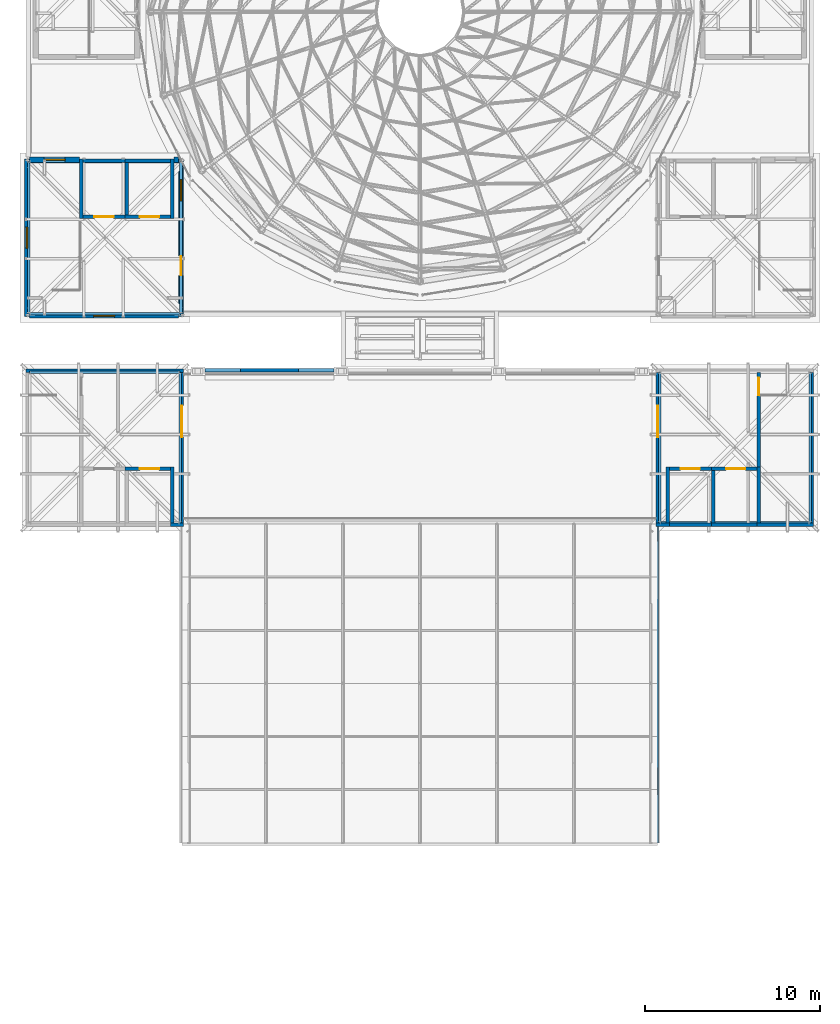
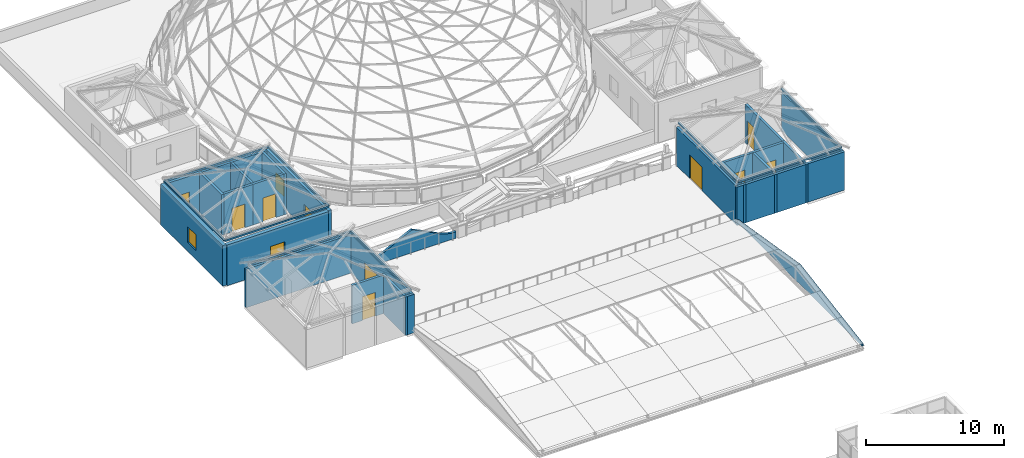
# One storey, part 48 of 69: 40 walls, 9 doors, 4 windows, 13 openings.
"""IFC4 building model written with IfcOpenShell, lengths in metres."""

from ifc_helpers import new_model, si_unit, direction, frame, frame_2d, origin, place, context, subcontext, project, spatial, polyline, rectangle, outline, extrude, material, layer, layer_set, type_object, element, fill, save


model = new_model("IFC4")

# Units and contexts
model_context = context("Model", 3, precision=1e-05, world=origin(), true_north=direction((0.0, 1.0)))
body_context = subcontext(model_context, "Body", "Model", "MODEL_VIEW")
ifc_project = project(units=[si_unit("LENGTHUNIT", "METRE"), si_unit("AREAUNIT", "SQUARE_METRE"), si_unit("VOLUMEUNIT", "CUBIC_METRE"), si_unit("PLANEANGLEUNIT", "RADIAN"), si_unit("MASSUNIT", "GRAM", prefix="KILO")], contexts=[model_context])

# Site, building, storey
site_placement = place(None, origin())
site = spatial("IfcSite", under=ifc_project, at=site_placement, CompositionType="ELEMENT")
building_placement = place(site_placement, origin())
building = spatial("IfcBuilding", under=site, at=building_placement, Name="Kallimachos Central Library", CompositionType="ELEMENT")
storey_placement = place(building_placement, frame((0.0, 0.0, 23.39990234375)))
storey = spatial("IfcBuildingStorey", under=building, at=storey_placement, Name="L05", CompositionType="ELEMENT", Elevation=23.39990234375)

# Walls
ifc_material_1 = material(Name="Concrete C30/37", Category="concrete")
ifc_layer_1 = layer(ifc_material_1, 0.14990234375)
ifc_layer_set_1 = layer_set([ifc_layer_1], Name="Concrete C30/37 eaves kerb 150")
wall_type_1 = type_object("IfcWallType", Name="Concrete C30/37 eaves kerb 150", PredefinedType="SOLIDWALL", material=ifc_layer_set_1)
for number, where, z_axis, x_axis, name in (
    (1, (65.699951171875, 83.800048828125, 3.650146484375), (0.0, 0.0, 1.0), (1.0, 0.0, 0.0), "Head-house roof V4-NW eaves kerb N"),
    (2, (74.300048828125, 75.199951171875, 3.650146484375), (0.0, 0.0, 1.0), (0.0, 1.0, 0.0), "Head-house roof V4-NW eaves kerb E"),
    (3, (101.699951171875, 75.199951171875, 3.650146484375), (0.0, 0.0, 1.0), (1.0, 0.0, 0.0), "Head-house roof V4-NE eaves kerb S"),
    (4, (101.699951171875, 75.199951171875, 3.650146484375), (0.0, 0.0, 1.0), (0.0, 1.0, 0.0), "Head-house roof V4-NE eaves kerb W"),
    (5, (110.300048828125, 75.199951171875, 3.650146484375), (0.0, 0.0, 1.0), (0.0, 1.0, 0.0), "Head-house roof V4-NE eaves kerb E"),
):
    element("IfcWall", number, at=place(storey_placement, frame(where, z_axis=z_axis, x_axis=x_axis)), inside=storey, type_object=wall_type_1, Name=name, PredefinedType="SOLIDWALL", context=body_context, shape_type="SweptSolid", body=[
        extrude(rectangle(XDim=8.60009765625, YDim=0.14990234375, at=frame_2d((4.300048828125, 0.0))), origin(), (0.0, 0.0, 1.0), 0.14990234375),
    ])
for number, where, z_axis, x_axis, name in (
    (6, (65.64990234375, 87.14990234375, 3.800048828125), (0.0, 0.0, 1.0), (1.0, 0.0, 0.0), "Head-house roof V1-SW eaves kerb S"),
    (7, (65.64990234375, 95.85009765625, 3.800048828125), (0.0, 0.0, 1.0), (1.0, 0.0, 0.0), "Head-house roof V1-SW eaves kerb N"),
    (8, (65.64990234375, 87.14990234375, 3.800048828125), (0.0, 0.0, 1.0), (0.0, 1.0, 0.0), "Head-house roof V1-SW eaves kerb W"),
    (9, (74.35009765625, 87.14990234375, 3.800048828125), (0.0, 0.0, 1.0), (0.0, 1.0, 0.0), "Head-house roof V1-SW eaves kerb E"),
):
    element("IfcWall", number, at=place(storey_placement, frame(where, z_axis=z_axis, x_axis=x_axis)), inside=storey, type_object=wall_type_1, Name=name, PredefinedType="SOLIDWALL", context=body_context, shape_type="SweptSolid", body=[
        extrude(rectangle(XDim=8.7001953125, YDim=0.14990234375, at=frame_2d((4.35009765625, 0.0))), origin(), (0.0, 0.0, 1.0), 0.150146484375),
    ])
ifc_material_2 = material(Name="Laminated glass in aluminium frame", Category="aluminium")
ifc_layer_2 = layer(ifc_material_2, 0.10009765625)
ifc_layer_set_2 = layer_set([ifc_layer_2], Name="Glazed gable wall 100")
wall_type_2 = type_object("IfcWallType", Name="Glazed gable wall 100", PredefinedType="SOLIDWALL", material=ifc_layer_set_2)
wall_1_placement = place(storey_placement, frame((101.580078125, 56.919921875, 0.2900390625), z_axis=(0.0, 0.0, 1.0), x_axis=(0.0, 1.0, 0.0)))
element("IfcWall", 10, at=wall_1_placement, inside=storey, type_object=wall_type_2, Name="V4-WAL-L05-034", PredefinedType="SOLIDWALL", context=body_context, shape_type="SweptSolid", body=[
    extrude(outline(polyline([(0.0, 0.0), (18.22998046875, 0.0), (18.22998046875, 0.20263671875), (9.114990234375, 1.70263671875), (0.0, 0.20263671875), (0.0, 0.0)])), frame((0.0, 0.050048828125, 0.0), z_axis=(0.0, -1.0, 0.0), x_axis=(1.0, 0.0, 0.0)), (0.0, 0.0, 1.0), 0.10009765625),
])

# Wall, opening, window
ifc_material_3 = material(Name="Concrete C30/37 faced with glazed ceramic tile", Category="concrete")
ifc_layer_3 = layer(ifc_material_3, 0.300048828125)
ifc_layer_set_3 = layer_set([ifc_layer_3], Name="Head-house wall 300")
wall_type_3 = type_object("IfcWallType", Name="Head-house wall 300", PredefinedType="SOLIDWALL", material=ifc_layer_set_3)
wall_2_placement = place(storey_placement, frame((65.550048828125, 87.0, 0.0), z_axis=(0.0, 0.0, 1.0), x_axis=(0.0, 1.0, 0.0)))
wall_2 = element("IfcWall", 11, at=wall_2_placement, inside=storey, type_object=wall_type_3, Name="Head-house wall V1-SW", PredefinedType="SOLIDWALL", context=body_context, shape_type="SweptSolid", body=[
    extrude(rectangle(XDim=9.0, YDim=0.300048828125, at=frame_2d((4.5, 0.0))), origin(), (0.0, 0.0, 1.0), 3.60009765625),
])
opening_1_placement = place(wall_2_placement, frame((3.89990234375, 0.0, 0.800048828125)))
opening_1 = element("IfcOpeningElement", 12, at=opening_1_placement, cuts=wall_2, Name="Opening W61", PredefinedType="OPENING", context=body_context, shape_type="SweptSolid", body=[
    extrude(rectangle(XDim=1.199951171875, YDim=1.39990234375, at=frame_2d((0.60009765625, 0.699951171875))), frame((0.0, 0.159912109375, 0.0), z_axis=(0.0, -1.0, 0.0), x_axis=(1.0, 0.0, 0.0)), (0.0, 0.0, 1.0), 0.320068359375),
])
ifc_material_4 = material(Name="Anodised aluminium louvre", Category="aluminium")
window_type = type_object("IfcWindowType", Name="Plant louvre 1200x1400", PartitioningType="SINGLE_PANEL", PredefinedType="WINDOW", material=ifc_material_4)
window_1_placement = place(opening_1_placement, origin())
window_1 = element("IfcWindow", 13, at=window_1_placement, inside=storey, type_object=window_type, Name="V1-WIN-L05-001", OverallHeight=1.39990234375, OverallWidth=1.199951171875, PartitioningType="SINGLE_PANEL", PredefinedType="WINDOW", context=body_context, shape_type="SweptSolid", body=[
    extrude(rectangle(XDim=1.199951171875, YDim=1.39990234375, at=frame_2d((0.60009765625, 0.699951171875))), frame((0.0, 0.030029296875, 0.0), z_axis=(0.0, -1.0, 0.0), x_axis=(1.0, 0.0, 0.0)), (0.0, 0.0, 1.0), 0.06005859375),
])
fill(opening_1, window_1)

# Wall, openings, door, window
wall_3_placement = place(storey_placement, frame((74.35009765625, 87.0, 0.0), z_axis=(0.0, 0.0, 1.0), x_axis=(0.0, 1.0, 0.0)))
wall_3 = element("IfcWall", 14, at=wall_3_placement, inside=storey, type_object=wall_type_3, Name="Head-house wall V1-SW", PredefinedType="SOLIDWALL", context=body_context, shape_type="SweptSolid", body=[
    extrude(rectangle(XDim=9.0, YDim=0.300048828125, at=frame_2d((4.5, 0.0))), origin(), (0.0, 0.0, 1.0), 3.60009765625),
])
opening_2_placement = place(wall_3_placement, frame((6.60009765625, 0.0, 0.800048828125)))
opening_2 = element("IfcOpeningElement", 15, at=opening_2_placement, cuts=wall_3, Name="Opening W62", PredefinedType="OPENING", context=body_context, shape_type="SweptSolid", body=[
    extrude(rectangle(XDim=1.199951171875, YDim=1.39990234375, at=frame_2d((0.60009765625, 0.699951171875))), frame((0.0, 0.159912109375, 0.0), z_axis=(0.0, -1.0, 0.0), x_axis=(1.0, 0.0, 0.0)), (0.0, 0.0, 1.0), 0.320068359375),
])
opening_3_placement = place(wall_3_placement, frame((2.35009765625, 0.0, 0.0)))
opening_3 = element("IfcOpeningElement", 16, at=opening_3_placement, cuts=wall_3, Name="Opening D60", PredefinedType="OPENING", context=body_context, shape_type="SweptSolid", body=[
    extrude(rectangle(XDim=1.10009765625, YDim=2.10009765625, at=frame_2d((0.550048828125, 1.050048828125))), frame((0.0, 0.159912109375, 0.0), z_axis=(0.0, -1.0, 0.0), x_axis=(1.0, 0.0, 0.0)), (0.0, 0.0, 1.0), 0.320068359375),
])
ifc_material_5 = material(Name="Steel fire door", Category="steel")
door_type_1 = type_object("IfcDoorType", Name="Fire door EI2 90 1100 x 2100", OperationType="NOTDEFINED", PredefinedType="DOOR", material=ifc_material_5)
door_1_placement = place(opening_3_placement, origin())
door_1 = element("IfcDoor", 17, at=door_1_placement, inside=storey, type_object=door_type_1, Name="V1-DOR-L05-005", OperationType="SINGLE_SWING_RIGHT", OverallHeight=2.10009765625, OverallWidth=1.10009765625, PredefinedType="DOOR", context=body_context, shape_type="SweptSolid", body=[
    extrude(rectangle(XDim=1.10009765625, YDim=2.10009765625, at=frame_2d((0.550048828125, 1.050048828125))), frame((0.0, 0.02490234375, 0.0), z_axis=(0.0, -1.0, 0.0), x_axis=(1.0, 0.0, 0.0)), (0.0, 0.0, 1.0), 0.050048828125),
])
fill(opening_3, door_1)
window_2_placement = place(opening_2_placement, origin())
window_2 = element("IfcWindow", 18, at=window_2_placement, inside=storey, type_object=window_type, Name="V1-WIN-L05-002", OverallHeight=1.39990234375, OverallWidth=1.199951171875, PartitioningType="SINGLE_PANEL", PredefinedType="WINDOW", context=body_context, shape_type="SweptSolid", body=[
    extrude(rectangle(XDim=1.199951171875, YDim=1.39990234375, at=frame_2d((0.60009765625, 0.699951171875))), frame((0.0, 0.030029296875, 0.0), z_axis=(0.0, -1.0, 0.0), x_axis=(1.0, 0.0, 0.0)), (0.0, 0.0, 1.0), 0.06005859375),
])
fill(opening_2, window_2)

# Wall, opening, window
wall_4_placement = place(storey_placement, frame((65.699951171875, 87.050048828125, 0.0), z_axis=(0.0, 0.0, 1.0), x_axis=(1.0, 0.0, 0.0)))
wall_4 = element("IfcWall", 19, at=wall_4_placement, inside=storey, type_object=wall_type_3, Name="Head-house wall V1-SW", PredefinedType="SOLIDWALL", context=body_context, shape_type="SweptSolid", body=[
    extrude(rectangle(XDim=8.5, YDim=0.300048828125, at=frame_2d((4.25, 0.0))), origin(), (0.0, 0.0, 1.0), 3.60009765625),
])
opening_4_placement = place(wall_4_placement, frame((3.64990234375, 0.0, 0.800048828125)))
opening_4 = element("IfcOpeningElement", 20, at=opening_4_placement, cuts=wall_4, Name="Opening W63", PredefinedType="OPENING", context=body_context, shape_type="SweptSolid", body=[
    extrude(rectangle(XDim=1.199951171875, YDim=1.39990234375, at=frame_2d((0.60009765625, 0.699951171875))), frame((0.0, 0.159912109375, 0.0), z_axis=(0.0, -1.0, 0.0), x_axis=(1.0, 0.0, 0.0)), (0.0, 0.0, 1.0), 0.320068359375),
])
window_3_placement = place(opening_4_placement, origin())
window_3 = element("IfcWindow", 21, at=window_3_placement, inside=storey, type_object=window_type, Name="V1-WIN-L05-003", OverallHeight=1.39990234375, OverallWidth=1.199951171875, PartitioningType="SINGLE_PANEL", PredefinedType="WINDOW", context=body_context, shape_type="SweptSolid", body=[
    extrude(rectangle(XDim=1.199951171875, YDim=1.39990234375, at=frame_2d((0.60009765625, 0.699951171875))), frame((0.0, 0.030029296875, 0.0), z_axis=(0.0, -1.0, 0.0), x_axis=(1.0, 0.0, 0.0)), (0.0, 0.0, 1.0), 0.06005859375),
])
fill(opening_4, window_3)

wall_5_placement = place(storey_placement, frame((65.699951171875, 95.949951171875, 0.0), z_axis=(0.0, 0.0, 1.0), x_axis=(1.0, 0.0, 0.0)))
wall_5 = element("IfcWall", 22, at=wall_5_placement, inside=storey, type_object=wall_type_3, Name="Head-house wall V1-SW", PredefinedType="SOLIDWALL", context=body_context, shape_type="SweptSolid", body=[
    extrude(rectangle(XDim=2.85009765625, YDim=0.300048828125, at=frame_2d((1.425048828125, 0.0))), origin(), (0.0, 0.0, 1.0), 3.60009765625),
])
opening_5_placement = place(wall_5_placement, frame((0.824951171875, 0.0, 0.800048828125)))
opening_5 = element("IfcOpeningElement", 23, at=opening_5_placement, cuts=wall_5, Name="Opening W64", PredefinedType="OPENING", context=body_context, shape_type="SweptSolid", body=[
    extrude(rectangle(XDim=1.199951171875, YDim=1.39990234375, at=frame_2d((0.60009765625, 0.699951171875))), frame((0.0, 0.159912109375, 0.0), z_axis=(0.0, -1.0, 0.0), x_axis=(1.0, 0.0, 0.0)), (0.0, 0.0, 1.0), 0.320068359375),
])
window_4_placement = place(opening_5_placement, origin())
window_4 = element("IfcWindow", 24, at=window_4_placement, inside=storey, type_object=window_type, Name="V1-WIN-L05-004", OverallHeight=1.39990234375, OverallWidth=1.199951171875, PartitioningType="SINGLE_PANEL", PredefinedType="WINDOW", context=body_context, shape_type="SweptSolid", body=[
    extrude(rectangle(XDim=1.199951171875, YDim=1.39990234375, at=frame_2d((0.60009765625, 0.699951171875))), frame((0.0, 0.030029296875, 0.0), z_axis=(0.0, -1.0, 0.0), x_axis=(1.0, 0.0, 0.0)), (0.0, 0.0, 1.0), 0.06005859375),
])
fill(opening_5, window_4)

# Wall
wall_6_placement = place(storey_placement, frame((73.949951171875, 95.949951171875, 0.0), z_axis=(0.0, 0.0, 1.0), x_axis=(1.0, 0.0, 0.0)))
element("IfcWall", 25, at=wall_6_placement, inside=storey, type_object=wall_type_3, Name="Head-house wall V1-SW", PredefinedType="SOLIDWALL", context=body_context, shape_type="SweptSolid", body=[
    extrude(rectangle(XDim=0.25, YDim=0.300048828125, at=frame_2d((0.125, 0.0))), origin(), (0.0, 0.0, 1.0), 3.60009765625),
])

# Wall, opening, door
ifc_material_6 = material(Name="Concrete C30/37", Category="concrete")
ifc_layer_4 = layer(ifc_material_6, 0.199951171875)
ifc_layer_set_4 = layer_set([ifc_layer_4], Name="Lift shaft wall 200")
wall_type_4 = type_object("IfcWallType", Name="Lift shaft wall 200", PredefinedType="SOLIDWALL", material=ifc_layer_set_4)
wall_7_placement = place(storey_placement, frame((71.14990234375, 78.300048828125, 0.0), z_axis=(0.0, 0.0, 1.0), x_axis=(1.0, 0.0, 0.0)))
wall_7 = element("IfcWall", 26, at=wall_7_placement, inside=storey, type_object=wall_type_4, Name="V4-WAL-L05-005", PredefinedType="SOLIDWALL", context=body_context, shape_type="SweptSolid", body=[
    extrude(rectangle(XDim=2.60009765625, YDim=0.199951171875, at=frame_2d((1.300048828125, 0.0))), origin(), (0.0, 0.0, 1.0), 3.400146484375),
])
opening_6_placement = place(wall_7_placement, frame((0.85009765625, 0.0, 0.0)))
opening_6 = element("IfcOpeningElement", 27, at=opening_6_placement, cuts=wall_7, Name="Opening LD1100", PredefinedType="OPENING", context=body_context, shape_type="SweptSolid", body=[
    extrude(rectangle(XDim=1.10009765625, YDim=2.10009765625, at=frame_2d((0.550048828125, 1.050048828125))), frame((0.0, 0.10986328125, 0.0), z_axis=(0.0, -1.0, 0.0), x_axis=(1.0, 0.0, 0.0)), (0.0, 0.0, 1.0), 0.219970703125),
])
ifc_material_7 = material(Name="Stainless steel", Category="steel")
door_type_2 = type_object("IfcDoorType", Name="Lift landing door 1100 x 2100", OperationType="SLIDING_TO_LEFT", PredefinedType="DOOR", material=ifc_material_7)
door_2_placement = place(opening_6_placement, origin())
door_2 = element("IfcDoor", 28, at=door_2_placement, inside=storey, type_object=door_type_2, Name="LF8 landing door L05", OperationType="SLIDING_TO_LEFT", OverallHeight=2.10009765625, OverallWidth=1.10009765625, PredefinedType="DOOR", context=body_context, shape_type="SweptSolid", body=[
    extrude(rectangle(XDim=1.10009765625, YDim=2.10009765625, at=frame_2d((0.550048828125, 1.050048828125))), frame((0.0, 0.02490234375, 0.0), z_axis=(0.0, -1.0, 0.0), x_axis=(1.0, 0.0, 0.0)), (0.0, 0.0, 1.0), 0.050048828125),
])
fill(opening_6, door_2)

# Wall
wall_8_placement = place(storey_placement, frame((73.85009765625, 75.0, 0.0), z_axis=(0.0, 0.0, 1.0), x_axis=(0.0, 1.0, 0.0)))
element("IfcWall", 29, at=wall_8_placement, inside=storey, type_object=wall_type_4, Name="V4-WAL-L05-007", PredefinedType="SOLIDWALL", context=body_context, shape_type="SweptSolid", body=[
    extrude(rectangle(XDim=3.39990234375, YDim=0.199951171875, at=frame_2d((1.699951171875, 0.0))), origin(), (0.0, 0.0, 1.0), 3.400146484375),
])

# Wall, opening, door
wall_9_placement = place(storey_placement, frame((104.64990234375, 78.300048828125, 0.0), z_axis=(0.0, 0.0, 1.0), x_axis=(1.0, 0.0, 0.0)))
wall_9 = element("IfcWall", 30, at=wall_9_placement, inside=storey, type_object=wall_type_4, Name="V4-WAL-L05-008", PredefinedType="SOLIDWALL", context=body_context, shape_type="SweptSolid", body=[
    extrude(rectangle(XDim=2.60009765625, YDim=0.199951171875, at=frame_2d((1.300048828125, 0.0))), origin(), (0.0, 0.0, 1.0), 3.400146484375),
])
opening_7_placement = place(wall_9_placement, frame((0.85009765625, 0.0, 0.0)))
opening_7 = element("IfcOpeningElement", 31, at=opening_7_placement, cuts=wall_9, Name="Opening LD1100", PredefinedType="OPENING", context=body_context, shape_type="SweptSolid", body=[
    extrude(rectangle(XDim=1.10009765625, YDim=2.10009765625, at=frame_2d((0.550048828125, 1.050048828125))), frame((0.0, 0.10986328125, 0.0), z_axis=(0.0, -1.0, 0.0), x_axis=(1.0, 0.0, 0.0)), (0.0, 0.0, 1.0), 0.219970703125),
])
door_3_placement = place(opening_7_placement, origin())
door_3 = element("IfcDoor", 32, at=door_3_placement, inside=storey, type_object=door_type_2, Name="LF9 landing door L05", OperationType="SLIDING_TO_LEFT", OverallHeight=2.10009765625, OverallWidth=1.10009765625, PredefinedType="DOOR", context=body_context, shape_type="SweptSolid", body=[
    extrude(rectangle(XDim=1.10009765625, YDim=2.10009765625, at=frame_2d((0.550048828125, 1.050048828125))), frame((0.0, 0.02490234375, 0.0), z_axis=(0.0, -1.0, 0.0), x_axis=(1.0, 0.0, 0.0)), (0.0, 0.0, 1.0), 0.050048828125),
])
fill(opening_7, door_3)

# Walls
wall_10_placement = place(storey_placement, frame((104.64990234375, 75.10009765625, 0.0), z_axis=(0.0, 0.0, 1.0), x_axis=(1.0, 0.0, 0.0)))
element("IfcWall", 33, at=wall_10_placement, inside=storey, type_object=wall_type_4, Name="V4-WAL-L05-009", PredefinedType="SOLIDWALL", context=body_context, shape_type="SweptSolid", body=[
    extrude(rectangle(XDim=2.60009765625, YDim=0.199951171875, at=frame_2d((1.300048828125, 0.0))), origin(), (0.0, 0.0, 1.0), 3.400146484375),
])
for number, where, z_axis, x_axis, name in (
    (34, (104.75, 75.0, 0.0), (0.0, 0.0, 1.0), (0.0, 1.0, 0.0), "V4-WAL-L05-010"),
    (35, (107.35009765625, 75.0, 0.0), (0.0, 0.0, 1.0), (0.0, 1.0, 0.0), "V4-WAL-L05-011"),
):
    element("IfcWall", number, at=place(storey_placement, frame(where, z_axis=z_axis, x_axis=x_axis)), inside=storey, type_object=wall_type_4, Name=name, PredefinedType="SOLIDWALL", context=body_context, shape_type="SweptSolid", body=[
        extrude(rectangle(XDim=3.39990234375, YDim=0.199951171875, at=frame_2d((1.699951171875, 0.0))), origin(), (0.0, 0.0, 1.0), 3.400146484375),
    ])

# Wall, opening, door
wall_11_placement = place(storey_placement, frame((102.25, 78.300048828125, 0.0), z_axis=(0.0, 0.0, 1.0), x_axis=(1.0, 0.0, 0.0)))
wall_11 = element("IfcWall", 36, at=wall_11_placement, inside=storey, type_object=wall_type_4, Name="V4-WAL-L05-012", PredefinedType="SOLIDWALL", context=body_context, shape_type="SweptSolid", body=[
    extrude(rectangle(XDim=2.39990234375, YDim=0.199951171875, at=frame_2d((1.199951171875, 0.0))), origin(), (0.0, 0.0, 1.0), 3.400146484375),
])
opening_8_placement = place(wall_11_placement, frame((0.64990234375, 0.0, 0.0)))
opening_8 = element("IfcOpeningElement", 37, at=opening_8_placement, cuts=wall_11, Name="Opening LD1100", PredefinedType="OPENING", context=body_context, shape_type="SweptSolid", body=[
    extrude(rectangle(XDim=1.10009765625, YDim=2.10009765625, at=frame_2d((0.550048828125, 1.050048828125))), frame((0.0, 0.10986328125, 0.0), z_axis=(0.0, -1.0, 0.0), x_axis=(1.0, 0.0, 0.0)), (0.0, 0.0, 1.0), 0.219970703125),
])
door_4_placement = place(opening_8_placement, origin())
door_4 = element("IfcDoor", 38, at=door_4_placement, inside=storey, type_object=door_type_2, Name="LF10 landing door L05", OperationType="SLIDING_TO_LEFT", OverallHeight=2.10009765625, OverallWidth=1.10009765625, PredefinedType="DOOR", context=body_context, shape_type="SweptSolid", body=[
    extrude(rectangle(XDim=1.10009765625, YDim=2.10009765625, at=frame_2d((0.550048828125, 1.050048828125))), frame((0.0, 0.02490234375, 0.0), z_axis=(0.0, -1.0, 0.0), x_axis=(1.0, 0.0, 0.0)), (0.0, 0.0, 1.0), 0.050048828125),
])
fill(opening_8, door_4)

# Walls
wall_12_placement = place(storey_placement, frame((102.25, 75.10009765625, 0.0), z_axis=(0.0, 0.0, 1.0), x_axis=(1.0, 0.0, 0.0)))
element("IfcWall", 39, at=wall_12_placement, inside=storey, type_object=wall_type_4, Name="V4-WAL-L05-013", PredefinedType="SOLIDWALL", context=body_context, shape_type="SweptSolid", body=[
    extrude(rectangle(XDim=2.39990234375, YDim=0.199951171875, at=frame_2d((1.199951171875, 0.0))), origin(), (0.0, 0.0, 1.0), 3.400146484375),
])
wall_13_placement = place(storey_placement, frame((102.14990234375, 75.0, 0.0), z_axis=(0.0, 0.0, 1.0), x_axis=(0.0, 1.0, 0.0)))
element("IfcWall", 40, at=wall_13_placement, inside=storey, type_object=wall_type_4, Name="V4-WAL-L05-014", PredefinedType="SOLIDWALL", context=body_context, shape_type="SweptSolid", body=[
    extrude(rectangle(XDim=3.39990234375, YDim=0.199951171875, at=frame_2d((1.699951171875, 0.0))), origin(), (0.0, 0.0, 1.0), 3.400146484375),
])
wall_14_placement = place(storey_placement, frame((68.75, 95.89990234375, 0.0), z_axis=(0.0, 0.0, 1.0), x_axis=(1.0, 0.0, 0.0)))
element("IfcWall", 41, at=wall_14_placement, inside=storey, type_object=wall_type_4, Name="V1-WAL-L05-001", PredefinedType="SOLIDWALL", context=body_context, shape_type="SweptSolid", body=[
    extrude(rectangle(XDim=2.39990234375, YDim=0.199951171875, at=frame_2d((1.199951171875, 0.0))), origin(), (0.0, 0.0, 1.0), 3.60009765625),
])

# Wall, opening, door
wall_15_placement = place(storey_placement, frame((68.75, 92.699951171875, 0.0), z_axis=(0.0, 0.0, 1.0), x_axis=(1.0, 0.0, 0.0)))
wall_15 = element("IfcWall", 42, at=wall_15_placement, inside=storey, type_object=wall_type_4, Name="V1-WAL-L05-002", PredefinedType="SOLIDWALL", context=body_context, shape_type="SweptSolid", body=[
    extrude(rectangle(XDim=2.39990234375, YDim=0.199951171875, at=frame_2d((1.199951171875, 0.0))), origin(), (0.0, 0.0, 1.0), 3.60009765625),
])
opening_9_placement = place(wall_15_placement, frame((0.64990234375, 0.0, 0.0)))
opening_9 = element("IfcOpeningElement", 43, at=opening_9_placement, cuts=wall_15, Name="Opening LD1100", PredefinedType="OPENING", context=body_context, shape_type="SweptSolid", body=[
    extrude(rectangle(XDim=1.10009765625, YDim=2.10009765625, at=frame_2d((0.550048828125, 1.050048828125))), frame((0.0, 0.10986328125, 0.0), z_axis=(0.0, -1.0, 0.0), x_axis=(1.0, 0.0, 0.0)), (0.0, 0.0, 1.0), 0.219970703125),
])
door_5_placement = place(opening_9_placement, origin())
door_5 = element("IfcDoor", 44, at=door_5_placement, inside=storey, type_object=door_type_2, Name="LF1 landing door L05", OperationType="SLIDING_TO_LEFT", OverallHeight=2.10009765625, OverallWidth=1.10009765625, PredefinedType="DOOR", context=body_context, shape_type="SweptSolid", body=[
    extrude(rectangle(XDim=1.10009765625, YDim=2.10009765625, at=frame_2d((0.550048828125, 1.050048828125))), frame((0.0, 0.02490234375, 0.0), z_axis=(0.0, -1.0, 0.0), x_axis=(1.0, 0.0, 0.0)), (0.0, 0.0, 1.0), 0.050048828125),
])
fill(opening_9, door_5)

# Walls
for number, where, z_axis, x_axis, name in (
    (45, (68.64990234375, 92.60009765625, 0.0), (0.0, 0.0, 1.0), (0.0, 1.0, 0.0), "V1-WAL-L05-003"),
    (46, (71.25, 92.60009765625, 0.0), (0.0, 0.0, 1.0), (0.0, 1.0, 0.0), "V1-WAL-L05-004"),
):
    element("IfcWall", number, at=place(storey_placement, frame(where, z_axis=z_axis, x_axis=x_axis)), inside=storey, type_object=wall_type_4, Name=name, PredefinedType="SOLIDWALL", context=body_context, shape_type="SweptSolid", body=[
        extrude(rectangle(XDim=3.39990234375, YDim=0.199951171875, at=frame_2d((1.699951171875, 0.0))), origin(), (0.0, 0.0, 1.0), 3.60009765625),
    ])
wall_16_placement = place(storey_placement, frame((71.14990234375, 95.89990234375, 0.0), z_axis=(0.0, 0.0, 1.0), x_axis=(1.0, 0.0, 0.0)))
element("IfcWall", 47, at=wall_16_placement, inside=storey, type_object=wall_type_4, Name="V1-WAL-L05-005", PredefinedType="SOLIDWALL", context=body_context, shape_type="SweptSolid", body=[
    extrude(rectangle(XDim=2.60009765625, YDim=0.199951171875, at=frame_2d((1.300048828125, 0.0))), origin(), (0.0, 0.0, 1.0), 3.60009765625),
])

# Wall, opening, door
wall_17_placement = place(storey_placement, frame((71.14990234375, 92.699951171875, 0.0), z_axis=(0.0, 0.0, 1.0), x_axis=(1.0, 0.0, 0.0)))
wall_17 = element("IfcWall", 48, at=wall_17_placement, inside=storey, type_object=wall_type_4, Name="V1-WAL-L05-006", PredefinedType="SOLIDWALL", context=body_context, shape_type="SweptSolid", body=[
    extrude(rectangle(XDim=2.60009765625, YDim=0.199951171875, at=frame_2d((1.300048828125, 0.0))), origin(), (0.0, 0.0, 1.0), 3.60009765625),
])
opening_10_placement = place(wall_17_placement, frame((0.85009765625, 0.0, 0.0)))
opening_10 = element("IfcOpeningElement", 49, at=opening_10_placement, cuts=wall_17, Name="Opening LD1100", PredefinedType="OPENING", context=body_context, shape_type="SweptSolid", body=[
    extrude(rectangle(XDim=1.10009765625, YDim=2.10009765625, at=frame_2d((0.550048828125, 1.050048828125))), frame((0.0, 0.10986328125, 0.0), z_axis=(0.0, -1.0, 0.0), x_axis=(1.0, 0.0, 0.0)), (0.0, 0.0, 1.0), 0.219970703125),
])
door_6_placement = place(opening_10_placement, origin())
door_6 = element("IfcDoor", 50, at=door_6_placement, inside=storey, type_object=door_type_2, Name="LF2 landing door L05", OperationType="SLIDING_TO_LEFT", OverallHeight=2.10009765625, OverallWidth=1.10009765625, PredefinedType="DOOR", context=body_context, shape_type="SweptSolid", body=[
    extrude(rectangle(XDim=1.10009765625, YDim=2.10009765625, at=frame_2d((0.550048828125, 1.050048828125))), frame((0.0, 0.02490234375, 0.0), z_axis=(0.0, -1.0, 0.0), x_axis=(1.0, 0.0, 0.0)), (0.0, 0.0, 1.0), 0.050048828125),
])
fill(opening_10, door_6)

# Walls
wall_18_placement = place(storey_placement, frame((73.85009765625, 92.60009765625, 0.0), z_axis=(0.0, 0.0, 1.0), x_axis=(0.0, 1.0, 0.0)))
element("IfcWall", 51, at=wall_18_placement, inside=storey, type_object=wall_type_4, Name="V1-WAL-L05-007", PredefinedType="SOLIDWALL", context=body_context, shape_type="SweptSolid", body=[
    extrude(rectangle(XDim=3.39990234375, YDim=0.199951171875, at=frame_2d((1.699951171875, 0.0))), origin(), (0.0, 0.0, 1.0), 3.60009765625),
])
ifc_material_8 = material(Name="Concrete C35/45", Category="concrete")
ifc_layer_5 = layer(ifc_material_8, 0.199951171875)
ifc_layer_set_5 = layer_set([ifc_layer_5], Name="Shear core wall 200")
wall_type_5 = type_object("IfcWallType", Name="Shear core wall 200", PredefinedType="SHEAR", material=ifc_layer_set_5)
wall_19_placement = place(storey_placement, frame((65.5, 83.89990234375, 0.0), z_axis=(0.0, 0.0, 1.0), x_axis=(1.0, 0.0, 0.0)))
element("IfcWall", 52, at=wall_19_placement, inside=storey, type_object=wall_type_5, Name="Head-house wall V4-NW N", PredefinedType="SHEAR", context=body_context, shape_type="SweptSolid", body=[
    extrude(rectangle(XDim=9.0, YDim=0.199951171875, at=frame_2d((4.5, 0.0))), origin(), (0.0, 0.0, 1.0), 3.400146484375),
])

# Wall, opening, door
wall_20_placement = place(storey_placement, frame((74.39990234375, 75.199951171875, 0.0), z_axis=(0.0, 0.0, 1.0), x_axis=(0.0, 1.0, 0.0)))
wall_20 = element("IfcWall", 53, at=wall_20_placement, inside=storey, type_object=wall_type_5, Name="Head-house wall V4-NW E", PredefinedType="SHEAR", context=body_context, shape_type="SweptSolid", body=[
    extrude(rectangle(XDim=8.60009765625, YDim=0.199951171875, at=frame_2d((4.300048828125, 0.0))), origin(), (0.0, 0.0, 1.0), 3.400146484375),
])
opening_11_placement = place(wall_20_placement, frame((4.89990234375, 0.0, 0.0)))
opening_11 = element("IfcOpeningElement", 54, at=opening_11_placement, cuts=wall_20, Name="Opening D45", PredefinedType="OPENING", context=body_context, shape_type="SweptSolid", body=[
    extrude(rectangle(XDim=1.800048828125, YDim=2.10009765625, at=frame_2d((0.89990234375, 1.050048828125))), frame((0.0, 0.10986328125, 0.0), z_axis=(0.0, -1.0, 0.0), x_axis=(1.0, 0.0, 0.0)), (0.0, 0.0, 1.0), 0.219970703125),
])
ifc_material_9 = material(Name="Timber and glass", Category="wood")
door_type_3 = type_object("IfcDoorType", Name="Double leaf door 1800 x 2100, EI2 90", OperationType="DOUBLE_DOOR_SINGLE_SWING", PredefinedType="DOOR", material=ifc_material_9)
door_7_placement = place(opening_11_placement, origin())
door_7 = element("IfcDoor", 55, at=door_7_placement, inside=storey, type_object=door_type_3, Name="Roof Garden Door", OperationType="DOUBLE_DOOR_SINGLE_SWING", OverallHeight=2.10009765625, OverallWidth=1.800048828125, PredefinedType="DOOR", context=body_context, shape_type="SweptSolid", body=[
    extrude(rectangle(XDim=1.800048828125, YDim=2.10009765625, at=frame_2d((0.89990234375, 1.050048828125))), frame((0.0, 0.02490234375, 0.0), z_axis=(0.0, -1.0, 0.0), x_axis=(1.0, 0.0, 0.0)), (0.0, 0.0, 1.0), 0.050048828125),
])
fill(opening_11, door_7)

# Wall
wall_21_placement = place(storey_placement, frame((101.5, 75.10009765625, 0.0), z_axis=(0.0, 0.0, 1.0), x_axis=(1.0, 0.0, 0.0)))
element("IfcWall", 56, at=wall_21_placement, inside=storey, type_object=wall_type_5, Name="Head-house wall V4-NE S", PredefinedType="SHEAR", context=body_context, shape_type="SweptSolid", body=[
    extrude(rectangle(XDim=0.75, YDim=0.199951171875, at=frame_2d((0.375, 0.0))), origin(), (0.0, 0.0, 1.0), 3.400146484375),
])

# Wall, opening, door
wall_22_placement = place(storey_placement, frame((101.60009765625, 75.199951171875, 0.0), z_axis=(0.0, 0.0, 1.0), x_axis=(0.0, 1.0, 0.0)))
wall_22 = element("IfcWall", 57, at=wall_22_placement, inside=storey, type_object=wall_type_5, Name="Head-house wall V4-NE W", PredefinedType="SHEAR", context=body_context, shape_type="SweptSolid", body=[
    extrude(rectangle(XDim=8.60009765625, YDim=0.199951171875, at=frame_2d((4.300048828125, 0.0))), origin(), (0.0, 0.0, 1.0), 3.400146484375),
])
opening_12_placement = place(wall_22_placement, frame((4.89990234375, 0.0, 0.0)))
opening_12 = element("IfcOpeningElement", 58, at=opening_12_placement, cuts=wall_22, Name="Opening D46", PredefinedType="OPENING", context=body_context, shape_type="SweptSolid", body=[
    extrude(rectangle(XDim=1.800048828125, YDim=2.10009765625, at=frame_2d((0.89990234375, 1.050048828125))), frame((0.0, 0.10986328125, 0.0), z_axis=(0.0, -1.0, 0.0), x_axis=(1.0, 0.0, 0.0)), (0.0, 0.0, 1.0), 0.219970703125),
])
door_8_placement = place(opening_12_placement, frame((1.800048828125, 0.0, 0.0), z_axis=(0.0, 0.0, 1.0), x_axis=(-1.0, 0.0, 0.0)))
door_8 = element("IfcDoor", 59, at=door_8_placement, inside=storey, type_object=door_type_3, Name="Roof Garden Door", OperationType="DOUBLE_DOOR_SINGLE_SWING", OverallHeight=2.10009765625, OverallWidth=1.800048828125, PredefinedType="DOOR", context=body_context, shape_type="SweptSolid", body=[
    extrude(rectangle(XDim=1.800048828125, YDim=2.10009765625, at=frame_2d((0.89990234375, 1.050048828125))), frame((0.0, 0.02490234375, 0.0), z_axis=(0.0, -1.0, 0.0), x_axis=(1.0, 0.0, 0.0)), (0.0, 0.0, 1.0), 0.050048828125),
])
fill(opening_12, door_8)

# Walls
wall_23_placement = place(storey_placement, frame((110.39990234375, 75.199951171875, 0.0), z_axis=(0.0, 0.0, 1.0), x_axis=(0.0, 1.0, 0.0)))
element("IfcWall", 60, at=wall_23_placement, inside=storey, type_object=wall_type_5, Name="Head-house wall V4-NE E", PredefinedType="SHEAR", context=body_context, shape_type="SweptSolid", body=[
    extrude(rectangle(XDim=8.60009765625, YDim=0.199951171875, at=frame_2d((4.300048828125, 0.0))), origin(), (0.0, 0.0, 1.0), 3.400146484375),
])
wall_24_placement = place(storey_placement, frame((73.75, 75.10009765625, 0.0), z_axis=(0.0, 0.0, 1.0), x_axis=(1.0, 0.0, 0.0)))
element("IfcWall", 61, at=wall_24_placement, inside=storey, type_object=wall_type_5, Name="Head-house wall V4-NW S", PredefinedType="SHEAR", context=body_context, shape_type="SweptSolid", body=[
    extrude(rectangle(XDim=0.75, YDim=0.199951171875, at=frame_2d((0.375, 0.0))), origin(), (0.0, 0.0, 1.0), 3.400146484375),
])
wall_25_placement = place(storey_placement, frame((107.25, 75.10009765625, 0.0), z_axis=(0.0, 0.0, 1.0), x_axis=(1.0, 0.0, 0.0)))
element("IfcWall", 62, at=wall_25_placement, inside=storey, type_object=wall_type_5, Name="Head-house wall V4-NE S", PredefinedType="SHEAR", context=body_context, shape_type="SweptSolid", body=[
    extrude(rectangle(XDim=3.25, YDim=0.199951171875, at=frame_2d((1.625, 0.0))), origin(), (0.0, 0.0, 1.0), 3.400146484375),
])

# Wall, opening, door
ifc_material_10 = material(Name="Concrete C35/45", Category="concrete")
ifc_layer_6 = layer(ifc_material_10, 0.199951171875)
ifc_layer_set_6 = layer_set([ifc_layer_6], Name="Shear core wall 200, internal")
wall_type_6 = type_object("IfcWallType", Name="Shear core wall 200, internal", PredefinedType="SHEAR", material=ifc_layer_set_6)
wall_26_placement = place(storey_placement, frame((107.35009765625, 78.39990234375, 0.0), z_axis=(0.0, 0.0, 1.0), x_axis=(0.0, 1.0, 0.0)))
wall_26 = element("IfcWall", 63, at=wall_26_placement, inside=storey, type_object=wall_type_6, Name="L05 core wall V4-NE M", PredefinedType="SHEAR", context=body_context, shape_type="SweptSolid", body=[
    extrude(rectangle(XDim=5.400146484375, YDim=0.199951171875, at=frame_2d((2.7001953125, 0.0))), origin(), (0.0, 0.0, 1.0), 3.400146484375),
])
opening_13_placement = place(wall_26_placement, frame((4.10009765625, 0.0, 0.0)))
opening_13 = element("IfcOpeningElement", 64, at=opening_13_placement, cuts=wall_26, Name="Opening D167", PredefinedType="OPENING", context=body_context, shape_type="SweptSolid", body=[
    extrude(rectangle(XDim=1.0, YDim=2.10009765625, at=frame_2d((0.5, 1.050048828125))), frame((0.0, 0.10986328125, 0.0), z_axis=(0.0, -1.0, 0.0), x_axis=(1.0, 0.0, 0.0)), (0.0, 0.0, 1.0), 0.219970703125),
])
ifc_material_11 = material(Name="Timber", Category="wood")
door_type_4 = type_object("IfcDoorType", Name="Single leaf door 1000 x 2100, EI2 90", OperationType="NOTDEFINED", PredefinedType="DOOR", material=ifc_material_11)
door_9_placement = place(opening_13_placement, origin())
door_9 = element("IfcDoor", 65, at=door_9_placement, inside=storey, type_object=door_type_4, Name="L05 core door V4-NE", OperationType="SINGLE_SWING_LEFT", OverallHeight=2.10009765625, OverallWidth=1.0, PredefinedType="DOOR", context=body_context, shape_type="SweptSolid", body=[
    extrude(rectangle(XDim=1.0, YDim=2.10009765625, at=frame_2d((0.5, 1.050048828125))), frame((0.0, 0.02490234375, 0.0), z_axis=(0.0, -1.0, 0.0), x_axis=(1.0, 0.0, 0.0)), (0.0, 0.0, 1.0), 0.050048828125),
])
fill(opening_13, door_9)

# Wall
ifc_material_12 = material(Name="Pentelic marble cladding on reinforced concrete C30/37", Category="masonry")
ifc_layer_7 = layer(ifc_material_12, 0.199951171875)
ifc_layer_set_7 = layer_set([ifc_layer_7], Name="Stone crown wall 200")
wall_type_7 = type_object("IfcWallType", Name="Stone crown wall 200", PredefinedType="PARAPET", material=ifc_layer_set_7)
wall_27_placement = place(storey_placement, frame((75.7099609375, 83.919921875, 0.0), z_axis=(0.0, 0.0, 1.0), x_axis=(1.0, 0.0, 0.0)))
element("IfcWall", 66, at=wall_27_placement, inside=storey, type_object=wall_type_7, Name="North row roof edge crown 1", PredefinedType="PARAPET", context=body_context, shape_type="SweptSolid", body=[
    extrude(outline(polyline([(0.0, 0.0), (7.39013671875, 0.0), (7.389892578125, 0.56591796875), (6.927978515625, 0.57421875), (6.46630859375, 0.67578125), (6.00439453125, 0.863037109375), (5.54248046875, 1.098876953125), (5.08056640625, 1.3466796875), (4.618896484375, 1.572021484375), (4.156982421875, 1.80419921875), (3.695068359375, 2.011474609375), (3.233154296875, 1.80419921875), (2.771240234375, 1.572021484375), (2.309326171875, 1.3466796875), (1.847412109375, 1.098876953125), (1.385498046875, 0.863037109375), (0.923828125, 0.67578125), (0.4619140625, 0.57421875), (0.0, 0.56591796875), (0.0, 0.0)])), frame((0.0, 0.10009765625, 0.0), z_axis=(0.0, -1.0, 0.0), x_axis=(1.0, 0.0, 0.0)), (0.0, 0.0, 1.0), 0.199951171875),
])

save(model, "model.ifc")
